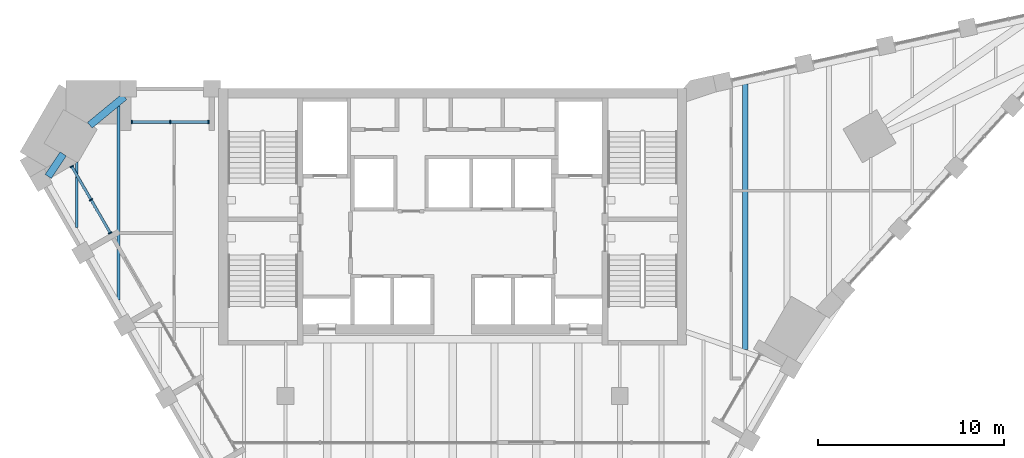
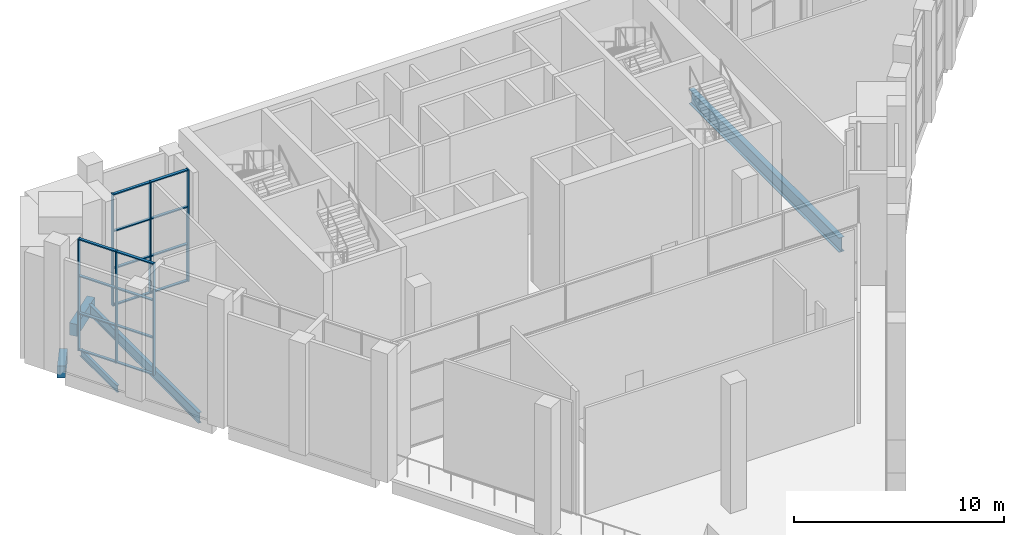
# One storey, part 4 of 14: 22 members, 5 beams, 2 elements without a shape of their own.
"""IFC4 building model written with IfcOpenShell, lengths in metres."""

from ifc_helpers import new_model, si_unit, direction, frame, origin, origin_2d, place, context, subcontext, project, spatial, rectangle, i_section, extrude, material, material_profile, profile_set, type_object, element, aggregate, save


model = new_model("IFC4")

# Units and contexts
model_context = context("Model", 3, precision=1e-05, world=origin(), true_north=direction((0.0, 1.0)))
body_context = subcontext(model_context, "Body", "Model", "MODEL_VIEW")
ifc_project = project(units=[si_unit("LENGTHUNIT", "METRE"), si_unit("AREAUNIT", "SQUARE_METRE"), si_unit("VOLUMEUNIT", "CUBIC_METRE"), si_unit("PLANEANGLEUNIT", "RADIAN"), si_unit("MASSUNIT", "GRAM", prefix="KILO")], contexts=[model_context])

# Site, building, storey
site_placement = place(None, origin())
site = spatial("IfcSite", under=ifc_project, at=site_placement, CompositionType="ELEMENT")
building_placement = place(site_placement, origin())
building = spatial("IfcBuilding", under=site, at=building_placement, Name="Calabash Gate Tower", CompositionType="ELEMENT")
storey_placement = place(building_placement, frame((0.0, 0.0, 295.0)))
storey = spatial("IfcBuildingStorey", under=building, at=storey_placement, Name="L71", CompositionType="ELEMENT", Elevation=295.0)

# Beams
ifc_material_1 = material(Name="Concrete C50/60", Category="concrete")
ifc_material_profile_1 = material_profile(ifc_material_1, rectangle(XDim=0.39990234375, YDim=0.699951171875, at=origin_2d()))
ifc_profile_set_1 = profile_set([ifc_material_profile_1], Name="Concrete C50/60")
beam_type_1 = type_object("IfcBeamType", Name="Edge beam RC 400x700 Concrete C50/60", PredefinedType="BEAM", material=ifc_profile_set_1)
beam_1_placement = place(storey_placement, frame((-17.673095703125, 18.623046875, -0.52001953125), z_axis=(-0.77193605732, -0.635700183585, 0.0), x_axis=(0.635700183585, -0.77193605732, 0.0)))
element("IfcBeam", 1, at=beam_1_placement, inside=storey, type_object=beam_type_1, Name="Edge beam L71 16", PredefinedType="BEAM", context=body_context, shape_type="SweptSolid", body=[
    extrude(rectangle(XDim=0.39990234375, YDim=0.699951171875, at=origin_2d()), origin(), (0.0, 0.0, 1.0), 2.421142578125),
])
beam_2_placement = place(storey_placement, frame((-20.97412109375, 15.535888671875, -0.52001953125), z_axis=(-0.556208441461, -0.831042820586, 0.0), x_axis=(0.831042820586, -0.556208441461, 0.0)))
element("IfcBeam", 2, at=beam_2_placement, inside=storey, type_object=beam_type_1, Name="Edge beam L71 17", PredefinedType="BEAM", context=body_context, shape_type="SweptSolid", body=[
    extrude(rectangle(XDim=0.39990234375, YDim=0.699951171875, at=origin_2d()), origin(), (0.0, 0.0, 1.0), 1.4560546875),
])
ifc_material_2 = material(Name="Steel ASTM A992 Gr50", Category="steel")
ifc_material_profile_2 = material_profile(ifc_material_2, i_section(OverallWidth=0.1396484375, OverallDepth=0.398681640625, WebThickness=0.00634765625, FlangeThickness=0.0087890625, FilletRadius=0.01025390625, at=origin_2d()))
ifc_profile_set_2 = profile_set([ifc_material_profile_2], Name="Steel ASTM A992 Gr50")
beam_type_2 = type_object("IfcBeamType", Name="Floor beam W16x26 ASTM A992 Gr50", PredefinedType="BEAM", material=ifc_profile_set_2)
beam_3_placement = place(storey_placement, frame((-20.25, 11.576904296875, -0.368896484375), z_axis=(0.0, 1.0, 0.0), x_axis=(-1.0, 0.0, 0.0)))
element("IfcBeam", 3, at=beam_3_placement, inside=storey, type_object=beam_type_2, Name="Floor beam L71 1", PredefinedType="BEAM", context=body_context, shape_type="SweptSolid", body=[
    extrude(i_section(OverallWidth=0.1396484375, OverallDepth=0.398681640625, WebThickness=0.00634765625, FlangeThickness=0.0087890625, FilletRadius=0.01025390625, at=origin_2d()), origin(), (0.0, 0.0, 1.0), 3.537109375),
])
ifc_material_3 = material(Name="Steel ASTM A992 Gr50", Category="steel")
ifc_material_profile_3 = material_profile(ifc_material_3, i_section(OverallWidth=0.1787109375, OverallDepth=0.60205078125, WebThickness=0.010986328125, FlangeThickness=0.014892578125, FilletRadius=0.0126953125, at=origin_2d()))
ifc_profile_set_3 = profile_set([ifc_material_profile_3], Name="Steel ASTM A992 Gr50")
beam_type_3 = type_object("IfcBeamType", Name="Floor beam W24x62 ASTM A992 Gr50", PredefinedType="BEAM", material=ifc_profile_set_3)
beam_4_placement = place(storey_placement, frame((-18.0, 7.679931640625, -0.470947265625), z_axis=(0.0, 1.0, 0.0), x_axis=(-1.0, 0.0, 0.0)))
element("IfcBeam", 4, at=beam_4_placement, inside=storey, type_object=beam_type_3, Name="Floor beam L71 2", PredefinedType="BEAM", context=body_context, shape_type="SweptSolid", body=[
    extrude(i_section(OverallWidth=0.1787109375, OverallDepth=0.60205078125, WebThickness=0.010986328125, FlangeThickness=0.014892578125, FilletRadius=0.0126953125, at=origin_2d()), origin(), (0.0, 0.0, 1.0), 10.43701171875),
])
ifc_material_4 = material(Name="Steel ASTM A992 Gr50", Category="steel")
ifc_material_profile_4 = material_profile(ifc_material_4, i_section(OverallWidth=0.2919921875, OverallDepth=0.845703125, WebThickness=0.015380859375, FlangeThickness=0.0244140625, FilletRadius=0.017822265625, at=origin_2d()))
ifc_profile_set_4 = profile_set([ifc_material_profile_4], Name="Steel ASTM A992 Gr50")
beam_type_4 = type_object("IfcBeamType", Name="Floor beam W33x141 ASTM A992 Gr50", PredefinedType="BEAM", material=ifc_profile_set_4)
beam_5_placement = place(storey_placement, frame((15.75, 4.9990234375, -0.593017578125), z_axis=(0.0, 1.0, 0.0), x_axis=(-1.0, 0.0, 0.0)))
element("IfcBeam", 5, at=beam_5_placement, inside=storey, type_object=beam_type_4, Name="Floor beam L71 26", PredefinedType="BEAM", context=body_context, shape_type="SweptSolid", body=[
    extrude(i_section(OverallWidth=0.2919921875, OverallDepth=0.845703125, WebThickness=0.015380859375, FlangeThickness=0.0244140625, FilletRadius=0.017822265625, at=origin_2d()), origin(), (0.0, 0.0, 1.0), 14.30908203125),
])

# Curtain wall, members
ifc_material_5 = material(Name="Anodised aluminium frame, bronze finish, clear laminated low-emissivity glazing", Category="aluminium")
curtain_wall_type = type_object("IfcCurtainWallType", Name="Curtain wall CWS sky lobby wall", PredefinedType="NOTDEFINED", material=ifc_material_5)
curtain_wall_1_placement = place(storey_placement, origin())
curtain_wall_1 = element("IfcCurtainWall", 6, at=curtain_wall_1_placement, inside=storey, type_object=curtain_wall_type, Name="Curtain wall CWS L71 SW0.1", PredefinedType="NOTDEFINED")
ifc_material_6 = material(Name="Anodised aluminium frame, bronze finish", Category="aluminium")
ifc_material_profile_5 = material_profile(ifc_material_6, rectangle(XDim=0.199951171875, YDim=0.06494140625, at=origin_2d()))
ifc_profile_set_5 = profile_set([ifc_material_profile_5], Name="Anodised aluminium frame, bronze finish")
member_type_1 = type_object("IfcMemberType", Name="Mullion CWS 65x200", PredefinedType="MULLION", material=ifc_profile_set_5)
member_1_placement = place(storey_placement, frame((-20.51171875, 14.862060546875, 0.0), z_axis=(0.0, 0.0, 1.0), x_axis=(0.866025421884, 0.499999968652, 0.0)))
member_1 = element("IfcMember", 7, at=member_1_placement, type_object=member_type_1, Name="CWS mullion 1", PredefinedType="MULLION", context=body_context, shape_type="SweptSolid", body=[
    extrude(rectangle(XDim=0.199951171875, YDim=0.06494140625, at=origin_2d()), origin(), (0.0, 0.0, 1.0), 6.5),
])
member_2_placement = place(storey_placement, frame((-19.47802734375, 13.071533203125, 0.0), z_axis=(0.0, 0.0, 1.0), x_axis=(0.866025421884, 0.499999968652, 0.0)))
member_2 = element("IfcMember", 8, at=member_2_placement, type_object=member_type_1, Name="CWS mullion 2", PredefinedType="MULLION", context=body_context, shape_type="SweptSolid", body=[
    extrude(rectangle(XDim=0.199951171875, YDim=0.06494140625, at=origin_2d()), origin(), (0.0, 0.0, 1.0), 6.5),
])
member_3_placement = place(storey_placement, frame((-18.4443359375, 11.281005859375, 0.0), z_axis=(0.0, 0.0, 1.0), x_axis=(0.866025421884, 0.499999968652, 0.0)))
member_3 = element("IfcMember", 9, at=member_3_placement, type_object=member_type_1, Name="CWS mullion 3", PredefinedType="MULLION", context=body_context, shape_type="SweptSolid", body=[
    extrude(rectangle(XDim=0.199951171875, YDim=0.06494140625, at=origin_2d()), origin(), (0.0, 0.0, 1.0), 6.5),
])

curtain_wall_2_placement = place(storey_placement, origin())
curtain_wall_2 = element("IfcCurtainWall", 10, at=curtain_wall_2_placement, inside=storey, type_object=curtain_wall_type, Name="Curtain wall CWS L71 N6.6", PredefinedType="NOTDEFINED")
member_4_placement = place(storey_placement, frame((-13.148193359375, 17.25244140625, 0.0), z_axis=(0.0, 0.0, 1.0), x_axis=(0.0, -1.0, 0.0)))
member_4 = element("IfcMember", 11, at=member_4_placement, type_object=member_type_1, Name="CWS mullion 1", PredefinedType="MULLION", context=body_context, shape_type="SweptSolid", body=[
    extrude(rectangle(XDim=0.199951171875, YDim=0.06494140625, at=origin_2d()), origin(), (0.0, 0.0, 1.0), 6.5),
])
member_5_placement = place(storey_placement, frame((-15.215576171875, 17.25244140625, 0.0), z_axis=(0.0, 0.0, 1.0), x_axis=(0.0, -1.0, 0.0)))
member_5 = element("IfcMember", 12, at=member_5_placement, type_object=member_type_1, Name="CWS mullion 2", PredefinedType="MULLION", context=body_context, shape_type="SweptSolid", body=[
    extrude(rectangle(XDim=0.199951171875, YDim=0.06494140625, at=origin_2d()), origin(), (0.0, 0.0, 1.0), 6.5),
])
member_6_placement = place(storey_placement, frame((-17.283203125, 17.25244140625, 0.0), z_axis=(0.0, 0.0, 1.0), x_axis=(0.0, -1.0, 0.0)))
member_6 = element("IfcMember", 13, at=member_6_placement, type_object=member_type_1, Name="CWS mullion 3", PredefinedType="MULLION", context=body_context, shape_type="SweptSolid", body=[
    extrude(rectangle(XDim=0.199951171875, YDim=0.06494140625, at=origin_2d()), origin(), (0.0, 0.0, 1.0), 6.5),
])

# Member
ifc_material_7 = material(Name="Anodised aluminium frame, bronze finish", Category="aluminium")
ifc_material_profile_6 = material_profile(ifc_material_7, rectangle(XDim=0.14990234375, YDim=0.06494140625, at=origin_2d()))
ifc_profile_set_6 = profile_set([ifc_material_profile_6], Name="Anodised aluminium frame, bronze finish")
member_type_2 = type_object("IfcMemberType", Name="Transom CWS 65x150", PredefinedType="USERDEFINED", material=ifc_profile_set_6)
member_7_placement = place(storey_placement, frame((-20.49560546875, 14.833984375, 0.032470703125), z_axis=(0.499954620082, -0.866051602307, 0.0), x_axis=(0.866051602307, 0.499954620082, 0.0)))
member_7 = element("IfcMember", 14, at=member_7_placement, type_object=member_type_2, Name="CWS transom 1.1", ObjectType="TRANSOM", PredefinedType="USERDEFINED", context=body_context, shape_type="SweptSolid", body=[
    extrude(rectangle(XDim=0.14990234375, YDim=0.06494140625, at=origin_2d()), origin(), (0.0, 0.0, 1.0), 2.002685546875),
])

member_8_placement = place(storey_placement, frame((-20.49560546875, 14.833984375, 2.166748046875), z_axis=(0.499954620082, -0.866051602307, 0.0), x_axis=(0.866051602307, 0.499954620082, 0.0)))
member_8 = element("IfcMember", 15, at=member_8_placement, type_object=member_type_2, Name="CWS transom 1.2", ObjectType="TRANSOM", PredefinedType="USERDEFINED", context=body_context, shape_type="SweptSolid", body=[
    extrude(rectangle(XDim=0.14990234375, YDim=0.06494140625, at=origin_2d()), origin(), (0.0, 0.0, 1.0), 2.002685546875),
])

member_9_placement = place(storey_placement, frame((-20.49560546875, 14.833984375, 4.333251953125), z_axis=(0.499954620082, -0.866051602307, 0.0), x_axis=(0.866051602307, 0.499954620082, 0.0)))
member_9 = element("IfcMember", 16, at=member_9_placement, type_object=member_type_2, Name="CWS transom 1.3", ObjectType="TRANSOM", PredefinedType="USERDEFINED", context=body_context, shape_type="SweptSolid", body=[
    extrude(rectangle(XDim=0.14990234375, YDim=0.06494140625, at=origin_2d()), origin(), (0.0, 0.0, 1.0), 2.002685546875),
])

member_10_placement = place(storey_placement, frame((-20.49560546875, 14.833984375, 6.467529296875), z_axis=(0.499954620082, -0.866051602307, 0.0), x_axis=(0.866051602307, 0.499954620082, 0.0)))
member_10 = element("IfcMember", 17, at=member_10_placement, type_object=member_type_2, Name="CWS transom 1.4", ObjectType="TRANSOM", PredefinedType="USERDEFINED", context=body_context, shape_type="SweptSolid", body=[
    extrude(rectangle(XDim=0.14990234375, YDim=0.06494140625, at=origin_2d()), origin(), (0.0, 0.0, 1.0), 2.002685546875),
])

member_11_placement = place(storey_placement, frame((-19.461669921875, 13.04345703125, 0.032470703125), z_axis=(0.499954620082, -0.866051602307, 0.0), x_axis=(0.866051602307, 0.499954620082, 0.0)))
member_11 = element("IfcMember", 18, at=member_11_placement, type_object=member_type_2, Name="CWS transom 2.1", ObjectType="TRANSOM", PredefinedType="USERDEFINED", context=body_context, shape_type="SweptSolid", body=[
    extrude(rectangle(XDim=0.14990234375, YDim=0.06494140625, at=origin_2d()), origin(), (0.0, 0.0, 1.0), 2.002685546875),
])

member_12_placement = place(storey_placement, frame((-19.461669921875, 13.04345703125, 2.166748046875), z_axis=(0.499954620082, -0.866051602307, 0.0), x_axis=(0.866051602307, 0.499954620082, 0.0)))
member_12 = element("IfcMember", 19, at=member_12_placement, type_object=member_type_2, Name="CWS transom 2.2", ObjectType="TRANSOM", PredefinedType="USERDEFINED", context=body_context, shape_type="SweptSolid", body=[
    extrude(rectangle(XDim=0.14990234375, YDim=0.06494140625, at=origin_2d()), origin(), (0.0, 0.0, 1.0), 2.002685546875),
])

member_13_placement = place(storey_placement, frame((-19.461669921875, 13.04345703125, 4.333251953125), z_axis=(0.499954620082, -0.866051602307, 0.0), x_axis=(0.866051602307, 0.499954620082, 0.0)))
member_13 = element("IfcMember", 20, at=member_13_placement, type_object=member_type_2, Name="CWS transom 2.3", ObjectType="TRANSOM", PredefinedType="USERDEFINED", context=body_context, shape_type="SweptSolid", body=[
    extrude(rectangle(XDim=0.14990234375, YDim=0.06494140625, at=origin_2d()), origin(), (0.0, 0.0, 1.0), 2.002685546875),
])

member_14_placement = place(storey_placement, frame((-19.461669921875, 13.04345703125, 6.467529296875), z_axis=(0.499954620082, -0.866051602307, 0.0), x_axis=(0.866051602307, 0.499954620082, 0.0)))
member_14 = element("IfcMember", 21, at=member_14_placement, type_object=member_type_2, Name="CWS transom 2.4", ObjectType="TRANSOM", PredefinedType="USERDEFINED", context=body_context, shape_type="SweptSolid", body=[
    extrude(rectangle(XDim=0.14990234375, YDim=0.06494140625, at=origin_2d()), origin(), (0.0, 0.0, 1.0), 2.002685546875),
])

aggregate(curtain_wall_1, [member_1, member_2, member_3, member_7, member_8, member_9, member_10, member_11, member_12, member_13, member_14])

member_15_placement = place(storey_placement, frame((-13.1806640625, 17.25244140625, 0.032470703125), z_axis=(-1.0, 0.0, 0.0), x_axis=(0.0, -1.0, 0.0)))
member_15 = element("IfcMember", 22, at=member_15_placement, type_object=member_type_2, Name="CWS transom 1.1", ObjectType="TRANSOM", PredefinedType="USERDEFINED", context=body_context, shape_type="SweptSolid", body=[
    extrude(rectangle(XDim=0.14990234375, YDim=0.06494140625, at=origin_2d()), origin(), (0.0, 0.0, 1.0), 2.00244140625),
])

member_16_placement = place(storey_placement, frame((-13.1806640625, 17.25244140625, 2.166748046875), z_axis=(-1.0, 0.0, 0.0), x_axis=(0.0, -1.0, 0.0)))
member_16 = element("IfcMember", 23, at=member_16_placement, type_object=member_type_2, Name="CWS transom 1.2", ObjectType="TRANSOM", PredefinedType="USERDEFINED", context=body_context, shape_type="SweptSolid", body=[
    extrude(rectangle(XDim=0.14990234375, YDim=0.06494140625, at=origin_2d()), origin(), (0.0, 0.0, 1.0), 2.00244140625),
])

member_17_placement = place(storey_placement, frame((-13.1806640625, 17.25244140625, 4.333251953125), z_axis=(-1.0, 0.0, 0.0), x_axis=(0.0, -1.0, 0.0)))
member_17 = element("IfcMember", 24, at=member_17_placement, type_object=member_type_2, Name="CWS transom 1.3", ObjectType="TRANSOM", PredefinedType="USERDEFINED", context=body_context, shape_type="SweptSolid", body=[
    extrude(rectangle(XDim=0.14990234375, YDim=0.06494140625, at=origin_2d()), origin(), (0.0, 0.0, 1.0), 2.00244140625),
])

member_18_placement = place(storey_placement, frame((-13.1806640625, 17.25244140625, 6.467529296875), z_axis=(-1.0, 0.0, 0.0), x_axis=(0.0, -1.0, 0.0)))
member_18 = element("IfcMember", 25, at=member_18_placement, type_object=member_type_2, Name="CWS transom 1.4", ObjectType="TRANSOM", PredefinedType="USERDEFINED", context=body_context, shape_type="SweptSolid", body=[
    extrude(rectangle(XDim=0.14990234375, YDim=0.06494140625, at=origin_2d()), origin(), (0.0, 0.0, 1.0), 2.00244140625),
])

member_19_placement = place(storey_placement, frame((-15.248046875, 17.25244140625, 0.032470703125), z_axis=(-1.0, 0.0, 0.0), x_axis=(0.0, -1.0, 0.0)))
member_19 = element("IfcMember", 26, at=member_19_placement, type_object=member_type_2, Name="CWS transom 2.1", ObjectType="TRANSOM", PredefinedType="USERDEFINED", context=body_context, shape_type="SweptSolid", body=[
    extrude(rectangle(XDim=0.14990234375, YDim=0.06494140625, at=origin_2d()), origin(), (0.0, 0.0, 1.0), 2.002685546875),
])

member_20_placement = place(storey_placement, frame((-15.248046875, 17.25244140625, 2.166748046875), z_axis=(-1.0, 0.0, 0.0), x_axis=(0.0, -1.0, 0.0)))
member_20 = element("IfcMember", 27, at=member_20_placement, type_object=member_type_2, Name="CWS transom 2.2", ObjectType="TRANSOM", PredefinedType="USERDEFINED", context=body_context, shape_type="SweptSolid", body=[
    extrude(rectangle(XDim=0.14990234375, YDim=0.06494140625, at=origin_2d()), origin(), (0.0, 0.0, 1.0), 2.002685546875),
])

member_21_placement = place(storey_placement, frame((-15.248046875, 17.25244140625, 4.333251953125), z_axis=(-1.0, 0.0, 0.0), x_axis=(0.0, -1.0, 0.0)))
member_21 = element("IfcMember", 28, at=member_21_placement, type_object=member_type_2, Name="CWS transom 2.3", ObjectType="TRANSOM", PredefinedType="USERDEFINED", context=body_context, shape_type="SweptSolid", body=[
    extrude(rectangle(XDim=0.14990234375, YDim=0.06494140625, at=origin_2d()), origin(), (0.0, 0.0, 1.0), 2.002685546875),
])

member_22_placement = place(storey_placement, frame((-15.248046875, 17.25244140625, 6.467529296875), z_axis=(-1.0, 0.0, 0.0), x_axis=(0.0, -1.0, 0.0)))
member_22 = element("IfcMember", 29, at=member_22_placement, type_object=member_type_2, Name="CWS transom 2.4", ObjectType="TRANSOM", PredefinedType="USERDEFINED", context=body_context, shape_type="SweptSolid", body=[
    extrude(rectangle(XDim=0.14990234375, YDim=0.06494140625, at=origin_2d()), origin(), (0.0, 0.0, 1.0), 2.002685546875),
])

aggregate(curtain_wall_2, [member_4, member_5, member_6, member_15, member_16, member_17, member_18, member_19, member_20, member_21, member_22])

save(model, "model.ifc")
